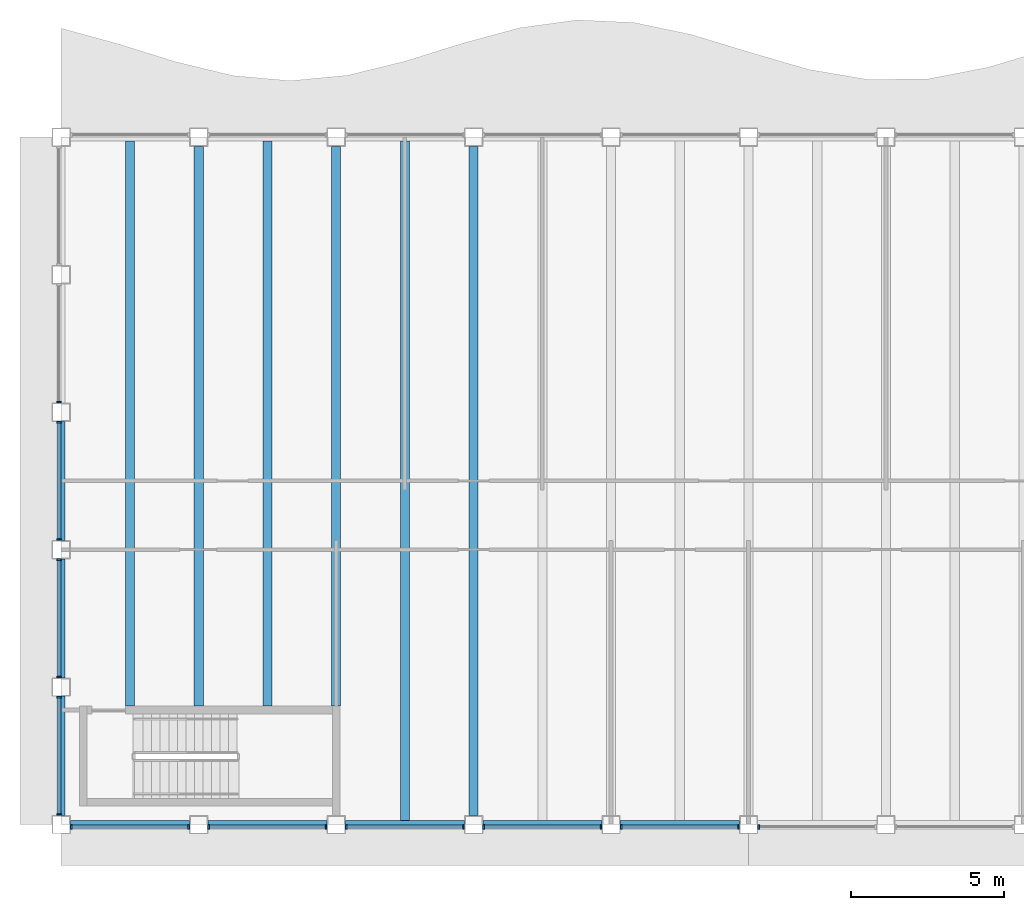
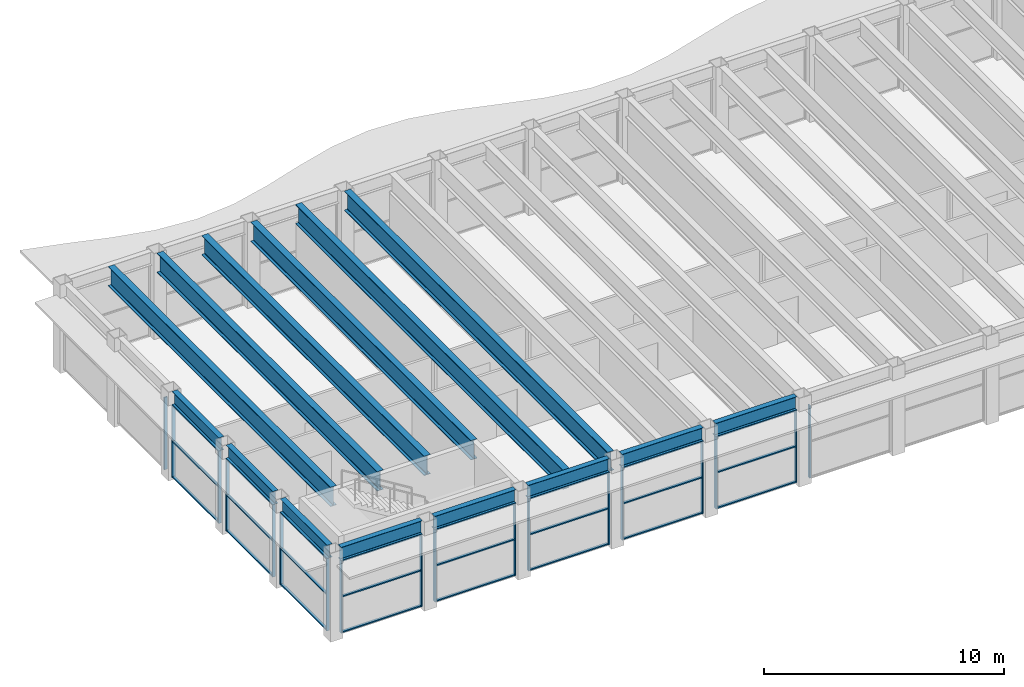
# One storey, part 2 of 14: 42 members, 14 beams, 10 elements without a shape of their own.
"""IFC4 building model written with IfcOpenShell, lengths in metres."""

from ifc_helpers import new_model, si_unit, direction, frame, origin, origin_2d, place, context, subcontext, project, spatial, rectangle, i_section, extrude, material, material_profile, profile_set, type_object, element, aggregate, save


model = new_model("IFC4")

# Units and contexts
model_context = context("Model", 3, precision=1e-05, world=origin(), true_north=direction((0.0, 1.0)))
body_context = subcontext(model_context, "Body", "Model", "MODEL_VIEW")
ifc_project = project(units=[si_unit("LENGTHUNIT", "METRE"), si_unit("AREAUNIT", "SQUARE_METRE"), si_unit("VOLUMEUNIT", "CUBIC_METRE"), si_unit("PLANEANGLEUNIT", "RADIAN"), si_unit("MASSUNIT", "GRAM", prefix="KILO")], contexts=[model_context])

# Site, building, storey
site_placement = place(None, origin())
site = spatial("IfcSite", under=ifc_project, at=site_placement, CompositionType="ELEMENT")
building_placement = place(site_placement, origin())
building = spatial("IfcBuilding", under=site, at=building_placement, Name="Sennacour Bend Tower", CompositionType="ELEMENT")
storey_placement = place(building_placement, frame((0.0, 0.0, 314.0)))
storey = spatial("IfcBuildingStorey", under=building, at=storey_placement, Name="L72", CompositionType="ELEMENT", Elevation=314.0)

# Curtain wall, members
ifc_material_1 = material(Name="Bronze anodised aluminium curtain wall with clear glass", Category="aluminium")
curtain_wall_type = type_object("IfcCurtainWallType", Name="CURTAIN WALL EXEC", PredefinedType="NOTDEFINED", material=ifc_material_1)
curtain_wall_1_placement = place(storey_placement, origin())
curtain_wall_1 = element("IfcCurtainWall", 1, at=curtain_wall_1_placement, inside=storey, type_object=curtain_wall_type, Name="Executive floor glass wall L72", PredefinedType="NOTDEFINED")
ifc_material_2 = material(Name="Aluminium 6063-T6", Category="aluminium")
ifc_material_profile_1 = material_profile(ifc_material_2, rectangle(XDim=0.14990234375, YDim=0.06005859375, at=origin_2d()), Name="Aluminium 6063-T6", Category="aluminium")
ifc_profile_set_1 = profile_set([ifc_material_profile_1], Name="Aluminium 6063-T6")
member_type_1 = type_object("IfcMemberType", Name="CW-MULLION-150X60", PredefinedType="MULLION", material=ifc_profile_set_1)
member_1_placement = place(storey_placement, frame((0.330078125, -0.074951171875, 0.0), z_axis=(0.0, 0.0, 1.0), x_axis=(0.0, 1.0, 0.0)))
member_1 = element("IfcMember", 2, at=member_1_placement, type_object=member_type_1, Name="GW3 curtain wall mullion 1", PredefinedType="MULLION", context=body_context, shape_type="SweptSolid", body=[
    extrude(rectangle(XDim=0.14990234375, YDim=0.06005859375, at=origin_2d()), origin(), (0.0, 0.0, 1.0), 3.672119140625),
])
member_2_placement = place(storey_placement, frame((4.169921875, -0.074951171875, 0.0), z_axis=(0.0, 0.0, 1.0), x_axis=(0.0, 1.0, 0.0)))
member_2 = element("IfcMember", 3, at=member_2_placement, type_object=member_type_1, Name="GW3 curtain wall mullion 2", PredefinedType="MULLION", context=body_context, shape_type="SweptSolid", body=[
    extrude(rectangle(XDim=0.14990234375, YDim=0.06005859375, at=origin_2d()), origin(), (0.0, 0.0, 1.0), 3.672119140625),
])

curtain_wall_2_placement = place(storey_placement, origin())
curtain_wall_2 = element("IfcCurtainWall", 4, at=curtain_wall_2_placement, inside=storey, type_object=curtain_wall_type, Name="Executive floor glass wall L72", PredefinedType="NOTDEFINED")
member_3_placement = place(storey_placement, frame((4.830078125, -0.074951171875, 0.0), z_axis=(0.0, 0.0, 1.0), x_axis=(0.0, 1.0, 0.0)))
member_3 = element("IfcMember", 5, at=member_3_placement, type_object=member_type_1, Name="GW3 curtain wall mullion 1", PredefinedType="MULLION", context=body_context, shape_type="SweptSolid", body=[
    extrude(rectangle(XDim=0.14990234375, YDim=0.06005859375, at=origin_2d()), origin(), (0.0, 0.0, 1.0), 3.672119140625),
])
member_4_placement = place(storey_placement, frame((8.669921875, -0.074951171875, 0.0), z_axis=(0.0, 0.0, 1.0), x_axis=(0.0, 1.0, 0.0)))
member_4 = element("IfcMember", 6, at=member_4_placement, type_object=member_type_1, Name="GW3 curtain wall mullion 2", PredefinedType="MULLION", context=body_context, shape_type="SweptSolid", body=[
    extrude(rectangle(XDim=0.14990234375, YDim=0.06005859375, at=origin_2d()), origin(), (0.0, 0.0, 1.0), 3.672119140625),
])

curtain_wall_3_placement = place(storey_placement, origin())
curtain_wall_3 = element("IfcCurtainWall", 7, at=curtain_wall_3_placement, inside=storey, type_object=curtain_wall_type, Name="Executive floor glass wall L72", PredefinedType="NOTDEFINED")
member_5_placement = place(storey_placement, frame((9.330078125, -0.074951171875, 0.0), z_axis=(0.0, 0.0, 1.0), x_axis=(0.0, 1.0, 0.0)))
member_5 = element("IfcMember", 8, at=member_5_placement, type_object=member_type_1, Name="GW3 curtain wall mullion 1", PredefinedType="MULLION", context=body_context, shape_type="SweptSolid", body=[
    extrude(rectangle(XDim=0.14990234375, YDim=0.06005859375, at=origin_2d()), origin(), (0.0, 0.0, 1.0), 3.672119140625),
])
member_6_placement = place(storey_placement, frame((13.169921875, -0.074951171875, 0.0), z_axis=(0.0, 0.0, 1.0), x_axis=(0.0, 1.0, 0.0)))
member_6 = element("IfcMember", 9, at=member_6_placement, type_object=member_type_1, Name="GW3 curtain wall mullion 2", PredefinedType="MULLION", context=body_context, shape_type="SweptSolid", body=[
    extrude(rectangle(XDim=0.14990234375, YDim=0.06005859375, at=origin_2d()), origin(), (0.0, 0.0, 1.0), 3.672119140625),
])

curtain_wall_4_placement = place(storey_placement, origin())
curtain_wall_4 = element("IfcCurtainWall", 10, at=curtain_wall_4_placement, inside=storey, type_object=curtain_wall_type, Name="Executive floor glass wall L72", PredefinedType="NOTDEFINED")
member_7_placement = place(storey_placement, frame((13.830078125, -0.074951171875, 0.0), z_axis=(0.0, 0.0, 1.0), x_axis=(0.0, 1.0, 0.0)))
member_7 = element("IfcMember", 11, at=member_7_placement, type_object=member_type_1, Name="GW3 curtain wall mullion 1", PredefinedType="MULLION", context=body_context, shape_type="SweptSolid", body=[
    extrude(rectangle(XDim=0.14990234375, YDim=0.06005859375, at=origin_2d()), origin(), (0.0, 0.0, 1.0), 3.672119140625),
])
member_8_placement = place(storey_placement, frame((17.669921875, -0.074951171875, 0.0), z_axis=(0.0, 0.0, 1.0), x_axis=(0.0, 1.0, 0.0)))
member_8 = element("IfcMember", 12, at=member_8_placement, type_object=member_type_1, Name="GW3 curtain wall mullion 2", PredefinedType="MULLION", context=body_context, shape_type="SweptSolid", body=[
    extrude(rectangle(XDim=0.14990234375, YDim=0.06005859375, at=origin_2d()), origin(), (0.0, 0.0, 1.0), 3.672119140625),
])

curtain_wall_5_placement = place(storey_placement, origin())
curtain_wall_5 = element("IfcCurtainWall", 13, at=curtain_wall_5_placement, inside=storey, type_object=curtain_wall_type, Name="Executive floor glass wall L72", PredefinedType="NOTDEFINED")
member_9_placement = place(storey_placement, frame((18.330078125, -0.074951171875, 0.0), z_axis=(0.0, 0.0, 1.0), x_axis=(0.0, 1.0, 0.0)))
member_9 = element("IfcMember", 14, at=member_9_placement, type_object=member_type_1, Name="GW3 curtain wall mullion 1", PredefinedType="MULLION", context=body_context, shape_type="SweptSolid", body=[
    extrude(rectangle(XDim=0.14990234375, YDim=0.06005859375, at=origin_2d()), origin(), (0.0, 0.0, 1.0), 3.672119140625),
])
member_10_placement = place(storey_placement, frame((22.169921875, -0.074951171875, 0.0), z_axis=(0.0, 0.0, 1.0), x_axis=(0.0, 1.0, 0.0)))
member_10 = element("IfcMember", 15, at=member_10_placement, type_object=member_type_1, Name="GW3 curtain wall mullion 2", PredefinedType="MULLION", context=body_context, shape_type="SweptSolid", body=[
    extrude(rectangle(XDim=0.14990234375, YDim=0.06005859375, at=origin_2d()), origin(), (0.0, 0.0, 1.0), 3.672119140625),
])

# Curtain wall, member
curtain_wall_6_placement = place(storey_placement, origin())
curtain_wall_6 = element("IfcCurtainWall", 16, at=curtain_wall_6_placement, inside=storey, type_object=curtain_wall_type, Name="Executive floor glass wall L72", PredefinedType="NOTDEFINED")
member_11_placement = place(storey_placement, frame((22.830078125, -0.074951171875, 0.0), z_axis=(0.0, 0.0, 1.0), x_axis=(0.0, 1.0, 0.0)))
member_11 = element("IfcMember", 17, at=member_11_placement, type_object=member_type_1, Name="GW3 curtain wall mullion 1", PredefinedType="MULLION", context=body_context, shape_type="SweptSolid", body=[
    extrude(rectangle(XDim=0.14990234375, YDim=0.06005859375, at=origin_2d()), origin(), (0.0, 0.0, 1.0), 3.672119140625),
])
aggregate(curtain_wall_6, [member_11])

curtain_wall_7_placement = place(storey_placement, origin())
curtain_wall_7 = element("IfcCurtainWall", 18, at=curtain_wall_7_placement, inside=storey, type_object=curtain_wall_type, Name="Executive floor glass wall L72", PredefinedType="NOTDEFINED")
member_12_placement = place(storey_placement, frame((-0.074951171875, 13.830078125, 0.0), z_axis=(0.0, 0.0, 1.0), x_axis=(1.0, 0.0, 0.0)))
member_12 = element("IfcMember", 19, at=member_12_placement, type_object=member_type_1, Name="GW3 curtain wall mullion 2", PredefinedType="MULLION", context=body_context, shape_type="SweptSolid", body=[
    extrude(rectangle(XDim=0.14990234375, YDim=0.06005859375, at=origin_2d()), origin(), (0.0, 0.0, 1.0), 3.672119140625),
])
aggregate(curtain_wall_7, [member_12])

# Curtain wall, members
curtain_wall_8_placement = place(storey_placement, origin())
curtain_wall_8 = element("IfcCurtainWall", 20, at=curtain_wall_8_placement, inside=storey, type_object=curtain_wall_type, Name="Executive floor glass wall L72", PredefinedType="NOTDEFINED")
member_13_placement = place(storey_placement, frame((-0.074951171875, 13.169921875, 0.0), z_axis=(0.0, 0.0, 1.0), x_axis=(1.0, 0.0, 0.0)))
member_13 = element("IfcMember", 21, at=member_13_placement, type_object=member_type_1, Name="GW3 curtain wall mullion 1", PredefinedType="MULLION", context=body_context, shape_type="SweptSolid", body=[
    extrude(rectangle(XDim=0.14990234375, YDim=0.06005859375, at=origin_2d()), origin(), (0.0, 0.0, 1.0), 3.672119140625),
])
member_14_placement = place(storey_placement, frame((-0.074951171875, 9.330078125, 0.0), z_axis=(0.0, 0.0, 1.0), x_axis=(1.0, 0.0, 0.0)))
member_14 = element("IfcMember", 22, at=member_14_placement, type_object=member_type_1, Name="GW3 curtain wall mullion 2", PredefinedType="MULLION", context=body_context, shape_type="SweptSolid", body=[
    extrude(rectangle(XDim=0.14990234375, YDim=0.06005859375, at=origin_2d()), origin(), (0.0, 0.0, 1.0), 3.672119140625),
])

curtain_wall_9_placement = place(storey_placement, origin())
curtain_wall_9 = element("IfcCurtainWall", 23, at=curtain_wall_9_placement, inside=storey, type_object=curtain_wall_type, Name="Executive floor glass wall L72", PredefinedType="NOTDEFINED")
member_15_placement = place(storey_placement, frame((-0.074951171875, 8.669921875, 0.0), z_axis=(0.0, 0.0, 1.0), x_axis=(1.0, 0.0, 0.0)))
member_15 = element("IfcMember", 24, at=member_15_placement, type_object=member_type_1, Name="GW3 curtain wall mullion 1", PredefinedType="MULLION", context=body_context, shape_type="SweptSolid", body=[
    extrude(rectangle(XDim=0.14990234375, YDim=0.06005859375, at=origin_2d()), origin(), (0.0, 0.0, 1.0), 3.672119140625),
])
member_16_placement = place(storey_placement, frame((-0.074951171875, 4.830078125, 0.0), z_axis=(0.0, 0.0, 1.0), x_axis=(1.0, 0.0, 0.0)))
member_16 = element("IfcMember", 25, at=member_16_placement, type_object=member_type_1, Name="GW3 curtain wall mullion 2", PredefinedType="MULLION", context=body_context, shape_type="SweptSolid", body=[
    extrude(rectangle(XDim=0.14990234375, YDim=0.06005859375, at=origin_2d()), origin(), (0.0, 0.0, 1.0), 3.672119140625),
])

curtain_wall_10_placement = place(storey_placement, origin())
curtain_wall_10 = element("IfcCurtainWall", 26, at=curtain_wall_10_placement, inside=storey, type_object=curtain_wall_type, Name="Executive floor glass wall L72", PredefinedType="NOTDEFINED")
member_17_placement = place(storey_placement, frame((-0.074951171875, 4.169921875, 0.0), z_axis=(0.0, 0.0, 1.0), x_axis=(1.0, 0.0, 0.0)))
member_17 = element("IfcMember", 27, at=member_17_placement, type_object=member_type_1, Name="GW3 curtain wall mullion 1", PredefinedType="MULLION", context=body_context, shape_type="SweptSolid", body=[
    extrude(rectangle(XDim=0.14990234375, YDim=0.06005859375, at=origin_2d()), origin(), (0.0, 0.0, 1.0), 3.672119140625),
])
member_18_placement = place(storey_placement, frame((-0.074951171875, 0.330078125, 0.0), z_axis=(0.0, 0.0, 1.0), x_axis=(1.0, 0.0, 0.0)))
member_18 = element("IfcMember", 28, at=member_18_placement, type_object=member_type_1, Name="GW3 curtain wall mullion 2", PredefinedType="MULLION", context=body_context, shape_type="SweptSolid", body=[
    extrude(rectangle(XDim=0.14990234375, YDim=0.06005859375, at=origin_2d()), origin(), (0.0, 0.0, 1.0), 3.672119140625),
])

# Member
ifc_material_profile_2 = material_profile(ifc_material_2, rectangle(XDim=0.1201171875, YDim=0.06005859375, at=origin_2d()), Name="Aluminium 6063-T6", Category="aluminium")
ifc_profile_set_2 = profile_set([ifc_material_profile_2], Name="Aluminium 6063-T6")
member_type_2 = type_object("IfcMemberType", Name="CW-TRANSOM-120X60", PredefinedType="USERDEFINED", material=ifc_profile_set_2)
member_19_placement = place(storey_placement, frame((0.360107421875, -0.074951171875, 0.030029296875), z_axis=(1.0, 0.0, 0.0), x_axis=(0.0, 1.0, 0.0)))
member_19 = element("IfcMember", 29, at=member_19_placement, type_object=member_type_2, Name="GW3 curtain wall transom 1.1", ObjectType="TRANSOM", PredefinedType="USERDEFINED", context=body_context, shape_type="SweptSolid", body=[
    extrude(rectangle(XDim=0.1201171875, YDim=0.06005859375, at=origin_2d()), origin(), (0.0, 0.0, 1.0), 3.77978515625),
])

member_20_placement = place(storey_placement, frame((0.360107421875, -0.074951171875, 1.8359375), z_axis=(1.0, 0.0, 0.0), x_axis=(0.0, 1.0, 0.0)))
member_20 = element("IfcMember", 30, at=member_20_placement, type_object=member_type_2, Name="GW3 curtain wall transom 1.2", ObjectType="TRANSOM", PredefinedType="USERDEFINED", context=body_context, shape_type="SweptSolid", body=[
    extrude(rectangle(XDim=0.1201171875, YDim=0.06005859375, at=origin_2d()), origin(), (0.0, 0.0, 1.0), 3.77978515625),
])

member_21_placement = place(storey_placement, frame((0.360107421875, -0.074951171875, 3.64208984375), z_axis=(1.0, 0.0, 0.0), x_axis=(0.0, 1.0, 0.0)))
member_21 = element("IfcMember", 31, at=member_21_placement, type_object=member_type_2, Name="GW3 curtain wall transom 1.3", ObjectType="TRANSOM", PredefinedType="USERDEFINED", context=body_context, shape_type="SweptSolid", body=[
    extrude(rectangle(XDim=0.1201171875, YDim=0.06005859375, at=origin_2d()), origin(), (0.0, 0.0, 1.0), 3.77978515625),
])

aggregate(curtain_wall_1, [member_1, member_2, member_19, member_20, member_21])

member_22_placement = place(storey_placement, frame((4.860107421875, -0.074951171875, 0.030029296875), z_axis=(1.0, 0.0, 0.0), x_axis=(0.0, 1.0, 0.0)))
member_22 = element("IfcMember", 32, at=member_22_placement, type_object=member_type_2, Name="GW3 curtain wall transom 1.1", ObjectType="TRANSOM", PredefinedType="USERDEFINED", context=body_context, shape_type="SweptSolid", body=[
    extrude(rectangle(XDim=0.1201171875, YDim=0.06005859375, at=origin_2d()), origin(), (0.0, 0.0, 1.0), 3.77978515625),
])

member_23_placement = place(storey_placement, frame((4.860107421875, -0.074951171875, 1.8359375), z_axis=(1.0, 0.0, 0.0), x_axis=(0.0, 1.0, 0.0)))
member_23 = element("IfcMember", 33, at=member_23_placement, type_object=member_type_2, Name="GW3 curtain wall transom 1.2", ObjectType="TRANSOM", PredefinedType="USERDEFINED", context=body_context, shape_type="SweptSolid", body=[
    extrude(rectangle(XDim=0.1201171875, YDim=0.06005859375, at=origin_2d()), origin(), (0.0, 0.0, 1.0), 3.77978515625),
])

member_24_placement = place(storey_placement, frame((4.860107421875, -0.074951171875, 3.64208984375), z_axis=(1.0, 0.0, 0.0), x_axis=(0.0, 1.0, 0.0)))
member_24 = element("IfcMember", 34, at=member_24_placement, type_object=member_type_2, Name="GW3 curtain wall transom 1.3", ObjectType="TRANSOM", PredefinedType="USERDEFINED", context=body_context, shape_type="SweptSolid", body=[
    extrude(rectangle(XDim=0.1201171875, YDim=0.06005859375, at=origin_2d()), origin(), (0.0, 0.0, 1.0), 3.77978515625),
])

aggregate(curtain_wall_2, [member_3, member_4, member_22, member_23, member_24])

member_25_placement = place(storey_placement, frame((9.360107421875, -0.074951171875, 0.030029296875), z_axis=(1.0, 0.0, 0.0), x_axis=(0.0, 1.0, 0.0)))
member_25 = element("IfcMember", 35, at=member_25_placement, type_object=member_type_2, Name="GW3 curtain wall transom 1.1", ObjectType="TRANSOM", PredefinedType="USERDEFINED", context=body_context, shape_type="SweptSolid", body=[
    extrude(rectangle(XDim=0.1201171875, YDim=0.06005859375, at=origin_2d()), origin(), (0.0, 0.0, 1.0), 3.77978515625),
])

member_26_placement = place(storey_placement, frame((9.360107421875, -0.074951171875, 1.8359375), z_axis=(1.0, 0.0, 0.0), x_axis=(0.0, 1.0, 0.0)))
member_26 = element("IfcMember", 36, at=member_26_placement, type_object=member_type_2, Name="GW3 curtain wall transom 1.2", ObjectType="TRANSOM", PredefinedType="USERDEFINED", context=body_context, shape_type="SweptSolid", body=[
    extrude(rectangle(XDim=0.1201171875, YDim=0.06005859375, at=origin_2d()), origin(), (0.0, 0.0, 1.0), 3.77978515625),
])

member_27_placement = place(storey_placement, frame((9.360107421875, -0.074951171875, 3.64208984375), z_axis=(1.0, 0.0, 0.0), x_axis=(0.0, 1.0, 0.0)))
member_27 = element("IfcMember", 37, at=member_27_placement, type_object=member_type_2, Name="GW3 curtain wall transom 1.3", ObjectType="TRANSOM", PredefinedType="USERDEFINED", context=body_context, shape_type="SweptSolid", body=[
    extrude(rectangle(XDim=0.1201171875, YDim=0.06005859375, at=origin_2d()), origin(), (0.0, 0.0, 1.0), 3.77978515625),
])

aggregate(curtain_wall_3, [member_5, member_6, member_25, member_26, member_27])

member_28_placement = place(storey_placement, frame((13.860107421875, -0.074951171875, 0.030029296875), z_axis=(1.0, 0.0, 0.0), x_axis=(0.0, 1.0, 0.0)))
member_28 = element("IfcMember", 38, at=member_28_placement, type_object=member_type_2, Name="GW3 curtain wall transom 1.1", ObjectType="TRANSOM", PredefinedType="USERDEFINED", context=body_context, shape_type="SweptSolid", body=[
    extrude(rectangle(XDim=0.1201171875, YDim=0.06005859375, at=origin_2d()), origin(), (0.0, 0.0, 1.0), 3.77978515625),
])

member_29_placement = place(storey_placement, frame((13.860107421875, -0.074951171875, 1.8359375), z_axis=(1.0, 0.0, 0.0), x_axis=(0.0, 1.0, 0.0)))
member_29 = element("IfcMember", 39, at=member_29_placement, type_object=member_type_2, Name="GW3 curtain wall transom 1.2", ObjectType="TRANSOM", PredefinedType="USERDEFINED", context=body_context, shape_type="SweptSolid", body=[
    extrude(rectangle(XDim=0.1201171875, YDim=0.06005859375, at=origin_2d()), origin(), (0.0, 0.0, 1.0), 3.77978515625),
])

member_30_placement = place(storey_placement, frame((13.860107421875, -0.074951171875, 3.64208984375), z_axis=(1.0, 0.0, 0.0), x_axis=(0.0, 1.0, 0.0)))
member_30 = element("IfcMember", 40, at=member_30_placement, type_object=member_type_2, Name="GW3 curtain wall transom 1.3", ObjectType="TRANSOM", PredefinedType="USERDEFINED", context=body_context, shape_type="SweptSolid", body=[
    extrude(rectangle(XDim=0.1201171875, YDim=0.06005859375, at=origin_2d()), origin(), (0.0, 0.0, 1.0), 3.77978515625),
])

aggregate(curtain_wall_4, [member_7, member_8, member_28, member_29, member_30])

member_31_placement = place(storey_placement, frame((18.360107421875, -0.074951171875, 0.030029296875), z_axis=(1.0, 0.0, 0.0), x_axis=(0.0, 1.0, 0.0)))
member_31 = element("IfcMember", 41, at=member_31_placement, type_object=member_type_2, Name="GW3 curtain wall transom 1.1", ObjectType="TRANSOM", PredefinedType="USERDEFINED", context=body_context, shape_type="SweptSolid", body=[
    extrude(rectangle(XDim=0.1201171875, YDim=0.06005859375, at=origin_2d()), origin(), (0.0, 0.0, 1.0), 3.77978515625),
])

member_32_placement = place(storey_placement, frame((18.360107421875, -0.074951171875, 1.8359375), z_axis=(1.0, 0.0, 0.0), x_axis=(0.0, 1.0, 0.0)))
member_32 = element("IfcMember", 42, at=member_32_placement, type_object=member_type_2, Name="GW3 curtain wall transom 1.2", ObjectType="TRANSOM", PredefinedType="USERDEFINED", context=body_context, shape_type="SweptSolid", body=[
    extrude(rectangle(XDim=0.1201171875, YDim=0.06005859375, at=origin_2d()), origin(), (0.0, 0.0, 1.0), 3.77978515625),
])

member_33_placement = place(storey_placement, frame((18.360107421875, -0.074951171875, 3.64208984375), z_axis=(1.0, 0.0, 0.0), x_axis=(0.0, 1.0, 0.0)))
member_33 = element("IfcMember", 43, at=member_33_placement, type_object=member_type_2, Name="GW3 curtain wall transom 1.3", ObjectType="TRANSOM", PredefinedType="USERDEFINED", context=body_context, shape_type="SweptSolid", body=[
    extrude(rectangle(XDim=0.1201171875, YDim=0.06005859375, at=origin_2d()), origin(), (0.0, 0.0, 1.0), 3.77978515625),
])

aggregate(curtain_wall_5, [member_9, member_10, member_31, member_32, member_33])

member_34_placement = place(storey_placement, frame((-0.074951171875, 13.139892578125, 0.030029296875), z_axis=(0.0, -1.0, 0.0), x_axis=(1.0, 0.0, 0.0)))
member_34 = element("IfcMember", 44, at=member_34_placement, type_object=member_type_2, Name="GW3 curtain wall transom 1.1", ObjectType="TRANSOM", PredefinedType="USERDEFINED", context=body_context, shape_type="SweptSolid", body=[
    extrude(rectangle(XDim=0.1201171875, YDim=0.06005859375, at=origin_2d()), origin(), (0.0, 0.0, 1.0), 3.77978515625),
])

member_35_placement = place(storey_placement, frame((-0.074951171875, 13.139892578125, 1.8359375), z_axis=(0.0, -1.0, 0.0), x_axis=(1.0, 0.0, 0.0)))
member_35 = element("IfcMember", 45, at=member_35_placement, type_object=member_type_2, Name="GW3 curtain wall transom 1.2", ObjectType="TRANSOM", PredefinedType="USERDEFINED", context=body_context, shape_type="SweptSolid", body=[
    extrude(rectangle(XDim=0.1201171875, YDim=0.06005859375, at=origin_2d()), origin(), (0.0, 0.0, 1.0), 3.77978515625),
])

member_36_placement = place(storey_placement, frame((-0.074951171875, 13.139892578125, 3.64208984375), z_axis=(0.0, -1.0, 0.0), x_axis=(1.0, 0.0, 0.0)))
member_36 = element("IfcMember", 46, at=member_36_placement, type_object=member_type_2, Name="GW3 curtain wall transom 1.3", ObjectType="TRANSOM", PredefinedType="USERDEFINED", context=body_context, shape_type="SweptSolid", body=[
    extrude(rectangle(XDim=0.1201171875, YDim=0.06005859375, at=origin_2d()), origin(), (0.0, 0.0, 1.0), 3.77978515625),
])

aggregate(curtain_wall_8, [member_13, member_14, member_34, member_35, member_36])

member_37_placement = place(storey_placement, frame((-0.074951171875, 8.639892578125, 0.030029296875), z_axis=(0.0, -1.0, 0.0), x_axis=(1.0, 0.0, 0.0)))
member_37 = element("IfcMember", 47, at=member_37_placement, type_object=member_type_2, Name="GW3 curtain wall transom 1.1", ObjectType="TRANSOM", PredefinedType="USERDEFINED", context=body_context, shape_type="SweptSolid", body=[
    extrude(rectangle(XDim=0.1201171875, YDim=0.06005859375, at=origin_2d()), origin(), (0.0, 0.0, 1.0), 3.77978515625),
])

member_38_placement = place(storey_placement, frame((-0.074951171875, 8.639892578125, 1.8359375), z_axis=(0.0, -1.0, 0.0), x_axis=(1.0, 0.0, 0.0)))
member_38 = element("IfcMember", 48, at=member_38_placement, type_object=member_type_2, Name="GW3 curtain wall transom 1.2", ObjectType="TRANSOM", PredefinedType="USERDEFINED", context=body_context, shape_type="SweptSolid", body=[
    extrude(rectangle(XDim=0.1201171875, YDim=0.06005859375, at=origin_2d()), origin(), (0.0, 0.0, 1.0), 3.77978515625),
])

member_39_placement = place(storey_placement, frame((-0.074951171875, 8.639892578125, 3.64208984375), z_axis=(0.0, -1.0, 0.0), x_axis=(1.0, 0.0, 0.0)))
member_39 = element("IfcMember", 49, at=member_39_placement, type_object=member_type_2, Name="GW3 curtain wall transom 1.3", ObjectType="TRANSOM", PredefinedType="USERDEFINED", context=body_context, shape_type="SweptSolid", body=[
    extrude(rectangle(XDim=0.1201171875, YDim=0.06005859375, at=origin_2d()), origin(), (0.0, 0.0, 1.0), 3.77978515625),
])

aggregate(curtain_wall_9, [member_15, member_16, member_37, member_38, member_39])

member_40_placement = place(storey_placement, frame((-0.074951171875, 4.139892578125, 0.030029296875), z_axis=(0.0, -1.0, 0.0), x_axis=(1.0, 0.0, 0.0)))
member_40 = element("IfcMember", 50, at=member_40_placement, type_object=member_type_2, Name="GW3 curtain wall transom 1.1", ObjectType="TRANSOM", PredefinedType="USERDEFINED", context=body_context, shape_type="SweptSolid", body=[
    extrude(rectangle(XDim=0.1201171875, YDim=0.06005859375, at=origin_2d()), origin(), (0.0, 0.0, 1.0), 3.77978515625),
])

member_41_placement = place(storey_placement, frame((-0.074951171875, 4.139892578125, 1.8359375), z_axis=(0.0, -1.0, 0.0), x_axis=(1.0, 0.0, 0.0)))
member_41 = element("IfcMember", 51, at=member_41_placement, type_object=member_type_2, Name="GW3 curtain wall transom 1.2", ObjectType="TRANSOM", PredefinedType="USERDEFINED", context=body_context, shape_type="SweptSolid", body=[
    extrude(rectangle(XDim=0.1201171875, YDim=0.06005859375, at=origin_2d()), origin(), (0.0, 0.0, 1.0), 3.77978515625),
])

member_42_placement = place(storey_placement, frame((-0.074951171875, 4.139892578125, 3.64208984375), z_axis=(0.0, -1.0, 0.0), x_axis=(1.0, 0.0, 0.0)))
member_42 = element("IfcMember", 52, at=member_42_placement, type_object=member_type_2, Name="GW3 curtain wall transom 1.3", ObjectType="TRANSOM", PredefinedType="USERDEFINED", context=body_context, shape_type="SweptSolid", body=[
    extrude(rectangle(XDim=0.1201171875, YDim=0.06005859375, at=origin_2d()), origin(), (0.0, 0.0, 1.0), 3.77978515625),
])

aggregate(curtain_wall_10, [member_17, member_18, member_40, member_41, member_42])

# Beams
ifc_material_3 = material(Name="Steel ASTM A992 Grade 50", Category="steel")
ifc_material_profile_3 = material_profile(ifc_material_3, i_section(OverallWidth=0.300048828125, OverallDepth=0.990966796875, WebThickness=0.0166015625, FlangeThickness=0.030517578125, FilletRadius=0.030029296875, at=origin_2d()), Name="Steel ASTM A992 Grade 50", Category="steel")
ifc_profile_set_3 = profile_set([ifc_material_profile_3], Name="Steel ASTM A992 Grade 50")
beam_type_1 = type_object("IfcBeamType", Name="Floor beam W1000X272", PredefinedType="BEAM", material=ifc_profile_set_3)
beam_1_placement = place(storey_placement, frame((2.25, 3.875, 3.8544921875), z_axis=(0.0, 1.0, 0.0), x_axis=(-1.0, 0.0, 0.0)))
element("IfcBeam", 53, at=beam_1_placement, inside=storey, type_object=beam_type_1, Name="Floor beam FBM3 L73-001", PredefinedType="BEAM", context=body_context, shape_type="SweptSolid", body=[
    extrude(i_section(OverallWidth=0.300048828125, OverallDepth=0.990966796875, WebThickness=0.0166015625, FlangeThickness=0.030517578125, FilletRadius=0.030029296875, at=origin_2d()), origin(), (0.0, 0.0, 1.0), 18.498046875),
])
beam_2_placement = place(storey_placement, frame((4.5, 3.875, 3.8544921875), z_axis=(0.0, 1.0, 0.0), x_axis=(-1.0, 0.0, 0.0)))
element("IfcBeam", 54, at=beam_2_placement, inside=storey, type_object=beam_type_1, Name="Floor beam FBM3 L73-002", PredefinedType="BEAM", context=body_context, shape_type="SweptSolid", body=[
    extrude(i_section(OverallWidth=0.300048828125, OverallDepth=0.990966796875, WebThickness=0.0166015625, FlangeThickness=0.030517578125, FilletRadius=0.030029296875, at=origin_2d()), origin(), (0.0, 0.0, 1.0), 18.324951171875),
])
beam_3_placement = place(storey_placement, frame((6.75, 3.875, 3.8544921875), z_axis=(0.0, 1.0, 0.0), x_axis=(-1.0, 0.0, 0.0)))
element("IfcBeam", 55, at=beam_3_placement, inside=storey, type_object=beam_type_1, Name="Floor beam FBM3 L73-003", PredefinedType="BEAM", context=body_context, shape_type="SweptSolid", body=[
    extrude(i_section(OverallWidth=0.300048828125, OverallDepth=0.990966796875, WebThickness=0.0166015625, FlangeThickness=0.030517578125, FilletRadius=0.030029296875, at=origin_2d()), origin(), (0.0, 0.0, 1.0), 18.498046875),
])
beam_4_placement = place(storey_placement, frame((9.0, 3.875, 3.8544921875), z_axis=(0.0, 1.0, 0.0), x_axis=(-1.0, 0.0, 0.0)))
element("IfcBeam", 56, at=beam_4_placement, inside=storey, type_object=beam_type_1, Name="Floor beam FBM3 L73-004", PredefinedType="BEAM", context=body_context, shape_type="SweptSolid", body=[
    extrude(i_section(OverallWidth=0.300048828125, OverallDepth=0.990966796875, WebThickness=0.0166015625, FlangeThickness=0.030517578125, FilletRadius=0.030029296875, at=origin_2d()), origin(), (0.0, 0.0, 1.0), 18.324951171875),
])
beam_5_placement = place(storey_placement, frame((11.25, 0.126953125, 3.8544921875), z_axis=(0.0, 1.0, 0.0), x_axis=(-1.0, 0.0, 0.0)))
element("IfcBeam", 57, at=beam_5_placement, inside=storey, type_object=beam_type_1, Name="Floor beam FBM3 L73-005", PredefinedType="BEAM", context=body_context, shape_type="SweptSolid", body=[
    extrude(i_section(OverallWidth=0.300048828125, OverallDepth=0.990966796875, WebThickness=0.0166015625, FlangeThickness=0.030517578125, FilletRadius=0.030029296875, at=origin_2d()), origin(), (0.0, 0.0, 1.0), 22.24609375),
])
beam_6_placement = place(storey_placement, frame((13.5, 0.300048828125, 3.8544921875), z_axis=(0.0, 1.0, 0.0), x_axis=(-1.0, 0.0, 0.0)))
element("IfcBeam", 58, at=beam_6_placement, inside=storey, type_object=beam_type_1, Name="Floor beam FBM3 L73-006", PredefinedType="BEAM", context=body_context, shape_type="SweptSolid", body=[
    extrude(i_section(OverallWidth=0.300048828125, OverallDepth=0.990966796875, WebThickness=0.0166015625, FlangeThickness=0.030517578125, FilletRadius=0.030029296875, at=origin_2d()), origin(), (0.0, 0.0, 1.0), 21.89990234375),
])
ifc_material_profile_4 = material_profile(ifc_material_3, i_section(OverallWidth=0.25390625, OverallDepth=0.677978515625, WebThickness=0.01171875, FlangeThickness=0.016357421875, FilletRadius=0.01513671875, at=origin_2d()), Name="Steel ASTM A992 Grade 50", Category="steel")
ifc_profile_set_4 = profile_set([ifc_material_profile_4], Name="Steel ASTM A992 Grade 50")
beam_type_2 = type_object("IfcBeamType", Name="Spandrel beam W690X125", PredefinedType="SPANDREL", material=ifc_profile_set_4)
for number, where, z_axis, x_axis, name in (
    (59, (0.0, 0.300048828125, 4.010986328125), (0.0, 1.0, 0.0), (-1.0, 0.0, 0.0), "Spandrel beam SP7 L73-001"),
    (60, (0.0, 4.800048828125, 4.010986328125), (0.0, 1.0, 0.0), (-1.0, 0.0, 0.0), "Spandrel beam SP7 L73-002"),
    (61, (0.0, 9.300048828125, 4.010986328125), (0.0, 1.0, 0.0), (-1.0, 0.0, 0.0), "Spandrel beam SP7 L73-003"),
    (62, (22.199951171875, 0.0, 4.010986328125), (-1.0, 0.0, 0.0), (0.0, -1.0, 0.0), "Spandrel beam SP7 L73-025"),
    (63, (17.699951171875, 0.0, 4.010986328125), (-1.0, 0.0, 0.0), (0.0, -1.0, 0.0), "Spandrel beam SP7 L73-026"),
    (64, (13.199951171875, 0.0, 4.010986328125), (-1.0, 0.0, 0.0), (0.0, -1.0, 0.0), "Spandrel beam SP7 L73-027"),
    (65, (8.699951171875, 0.0, 4.010986328125), (-1.0, 0.0, 0.0), (0.0, -1.0, 0.0), "Spandrel beam SP7 L73-028"),
    (66, (4.199951171875, 0.0, 4.010986328125), (-1.0, 0.0, 0.0), (0.0, -1.0, 0.0), "Spandrel beam SP7 L73-029"),
):
    element("IfcBeam", number, at=place(storey_placement, frame(where, z_axis=z_axis, x_axis=x_axis)), inside=storey, type_object=beam_type_2, Name=name, PredefinedType="SPANDREL", context=body_context, shape_type="SweptSolid", body=[
        extrude(i_section(OverallWidth=0.25390625, OverallDepth=0.677978515625, WebThickness=0.01171875, FlangeThickness=0.016357421875, FilletRadius=0.01513671875, at=origin_2d()), origin(), (0.0, 0.0, 1.0), 3.89990234375),
    ])

save(model, "model.ifc")
